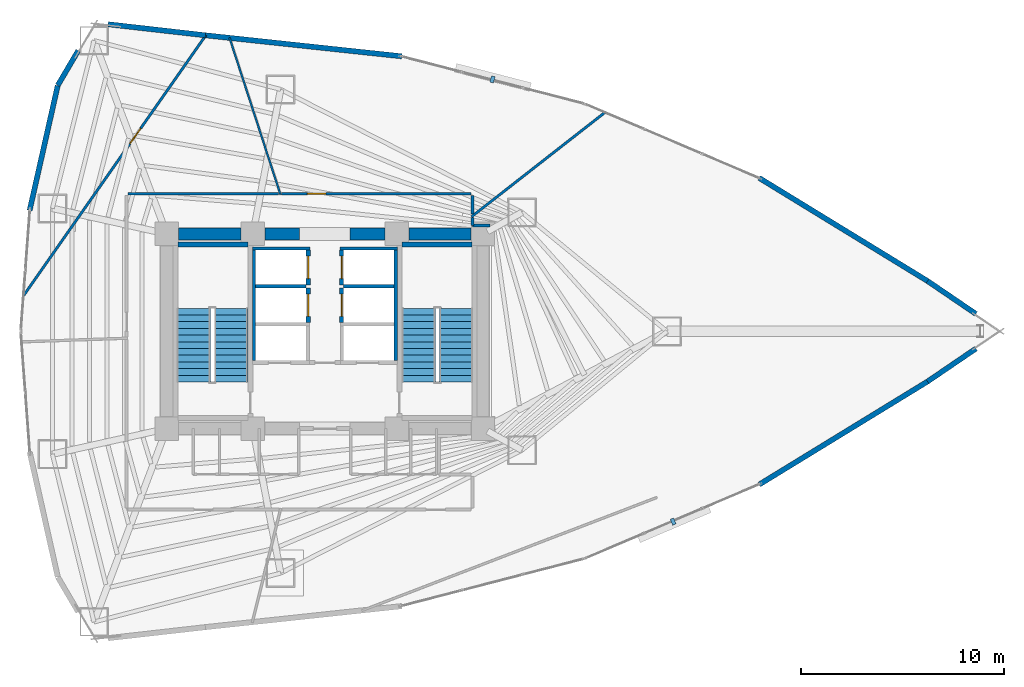
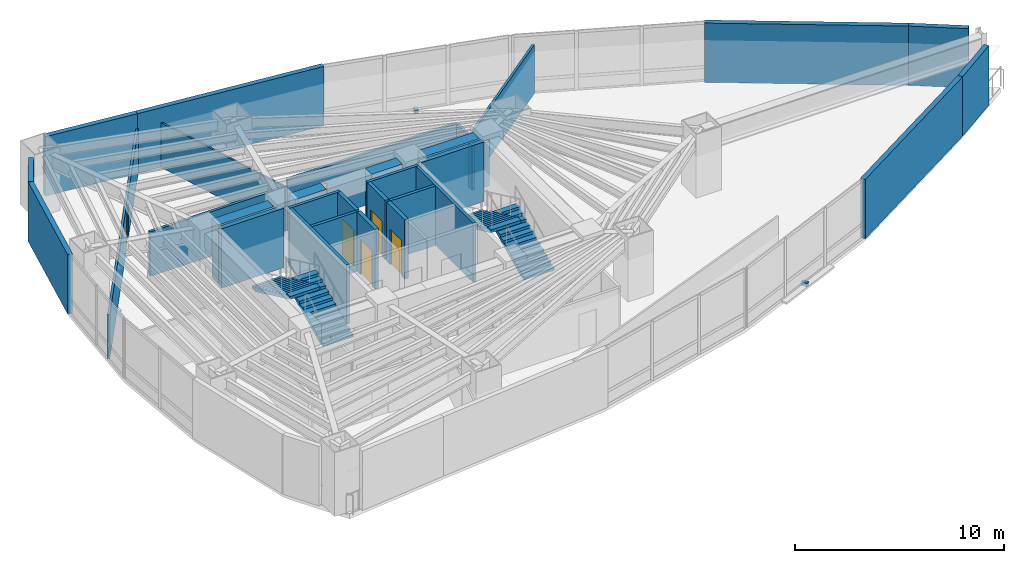
# One storey, part 16 of 20: 32 walls, 6 doors, 4 stair flights, 2 discrete accessories, 6 openings, 2 elements without a shape of their own.
"""IFC4 building model written with IfcOpenShell, lengths in metres."""

from ifc_helpers import new_model, si_unit, direction, frame, frame_2d, origin, origin_2d, place, context, subcontext, project, spatial, polyline, rectangle, outline, extrude, material, layer, layer_set, type_object, element, fill, aggregate, save


model = new_model("IFC4")

# Units and contexts
model_context = context("Model", 3, precision=1e-05, world=origin(), true_north=direction((0.0, 1.0)))
body_context = subcontext(model_context, "Body", "Model", "MODEL_VIEW")
ifc_project = project(units=[si_unit("LENGTHUNIT", "METRE"), si_unit("AREAUNIT", "SQUARE_METRE"), si_unit("VOLUMEUNIT", "CUBIC_METRE"), si_unit("PLANEANGLEUNIT", "RADIAN"), si_unit("MASSUNIT", "GRAM", prefix="KILO")], contexts=[model_context])

# Site, building, storey
site_placement = place(None, origin())
site = spatial("IfcSite", under=ifc_project, at=site_placement, CompositionType="ELEMENT")
building_placement = place(site_placement, origin())
building = spatial("IfcBuilding", under=site, at=building_placement, Name="Menara Vayukalpa", CompositionType="ELEMENT")
storey_placement = place(building_placement, frame((0.0, 0.0, 57.360107421875)))
storey = spatial("IfcBuildingStorey", under=building, at=storey_placement, Name="L13", CompositionType="ELEMENT", Elevation=57.360107421875)

# Walls
ifc_material_1 = material(Name="Concrete C70/85", Category="concrete")
ifc_layer_1 = layer(ifc_material_1, 0.60009765625)
ifc_layer_set_1 = layer_set([ifc_layer_1], Name="Concrete C70/85")
wall_type_1 = type_object("IfcWallType", Name="WAL-CW600", PredefinedType="SHEAR", material=ifc_layer_set_1)
wall_1_placement = place(storey_placement, frame((18.39501953125, 26.800048828125, 0.0), z_axis=(0.0, 0.0, 1.0), x_axis=(1.0, 0.0, 0.0)))
element("IfcWall", 1, at=wall_1_placement, inside=storey, type_object=wall_type_1, Name="L13 Buttressed Core Shear Wall CWN1", PredefinedType="SHEAR", context=body_context, shape_type="SweptSolid", body=[
    extrude(rectangle(XDim=3.06005859375, YDim=0.60009765625, at=frame_2d((1.530029296875, 0.0))), origin(), (0.0, 0.0, 1.0), 3.469970703125),
])
wall_2_placement = place(storey_placement, frame((22.64501953125, 26.800048828125, 0.0), z_axis=(0.0, 0.0, 1.0), x_axis=(1.0, 0.0, 0.0)))
element("IfcWall", 2, at=wall_2_placement, inside=storey, type_object=wall_type_1, Name="L13 Buttressed Core Shear Wall CWN2", PredefinedType="SHEAR", context=body_context, shape_type="SweptSolid", body=[
    extrude(rectangle(XDim=1.705078125, YDim=0.60009765625, at=frame_2d((0.8525390625, 0.0))), origin(), (0.0, 0.0, 1.0), 3.469970703125),
])
wall_3_placement = place(storey_placement, frame((26.85009765625, 26.800048828125, 0.0), z_axis=(0.0, 0.0, 1.0), x_axis=(1.0, 0.0, 0.0)))
element("IfcWall", 3, at=wall_3_placement, inside=storey, type_object=wall_type_1, Name="L13 Buttressed Core Shear Wall CWN3", PredefinedType="SHEAR", context=body_context, shape_type="SweptSolid", body=[
    extrude(rectangle(XDim=1.704833984375, YDim=0.60009765625, at=frame_2d((0.8525390625, 0.0))), origin(), (0.0, 0.0, 1.0), 3.469970703125),
])
wall_4_placement = place(storey_placement, frame((29.7451171875, 26.800048828125, 0.0), z_axis=(0.0, 0.0, 1.0), x_axis=(1.0, 0.0, 0.0)))
element("IfcWall", 4, at=wall_4_placement, inside=storey, type_object=wall_type_1, Name="L13 Buttressed Core Shear Wall CWN4", PredefinedType="SHEAR", context=body_context, shape_type="SweptSolid", body=[
    extrude(rectangle(XDim=3.059814453125, YDim=0.60009765625, at=frame_2d((1.52978515625, 0.0))), origin(), (0.0, 0.0, 1.0), 3.469970703125),
])
ifc_material_2 = material(Name="Insulated Precast Concrete C40/50", Category="concrete")
ifc_layer_2 = layer(ifc_material_2, 0.260009765625)
ifc_layer_set_2 = layer_set([ifc_layer_2], Name="Insulated Precast Concrete C40/50")
wall_type_2 = type_object("IfcWallType", Name="WAL-EXT260", PredefinedType="PARTITIONING", material=ifc_layer_set_2)
for number, where, z_axis, x_axis, name in (
    (5, (57.69921875, 21.143798828125, 0.0), (0.0, 0.0, 1.0), (-0.826683887239, -0.562666642498, 0.0), "L13 Perimeter Terracotta Pier Wall 01"),
    (6, (55.315673828125, 24.478515625, 0.0), (0.0, 0.0, 1.0), (0.826683887239, -0.562666642498, 0.0), "L13 Perimeter Terracotta Pier Wall 02"),
):
    element("IfcWall", number, at=place(storey_placement, frame(where, z_axis=z_axis, x_axis=x_axis)), inside=storey, type_object=wall_type_2, Name=name, PredefinedType="PARTITIONING", context=body_context, shape_type="SweptSolid", body=[
        extrude(rectangle(XDim=2.88330078125, YDim=0.260009765625, at=frame_2d((1.441650390625, 0.0))), origin(), (0.0, 0.0, 1.0), 3.469970703125),
    ])
wall_5_placement = place(storey_placement, frame((47.00390625, 29.56591796875, 0.0), z_axis=(0.0, 0.0, 1.0), x_axis=(0.852895644524, -0.522081430001, 0.0)))
element("IfcWall", 7, at=wall_5_placement, inside=storey, type_object=wall_type_2, Name="L13 Perimeter Terracotta Pier Wall 03", PredefinedType="PARTITIONING", context=body_context, shape_type="SweptSolid", body=[
    extrude(rectangle(XDim=9.757080078125, YDim=0.260009765625, at=frame_2d((4.87841796875, 0.0))), origin(), (0.0, 0.0, 1.0), 3.469970703125),
])
wall_6_placement = place(storey_placement, frame((19.69580078125, 36.5947265625, 0.0), z_axis=(0.0, 0.0, 1.0), x_axis=(0.994319088673, -0.106440358419, 0.0)))
element("IfcWall", 8, at=wall_6_placement, inside=storey, type_object=wall_type_2, Name="L13 Perimeter Terracotta Pier Wall 06", PredefinedType="PARTITIONING", context=body_context, shape_type="SweptSolid", body=[
    extrude(rectangle(XDim=9.75732421875, YDim=0.260009765625, at=frame_2d((4.878662109375, 0.0))), origin(), (0.0, 0.0, 1.0), 3.469970703125),
])
wall_7_placement = place(storey_placement, frame((14.909423828125, 37.1376953125, 0.0), z_axis=(0.0, 0.0, 1.0), x_axis=(0.993630237788, -0.112689620435, 0.0)))
element("IfcWall", 9, at=wall_7_placement, inside=storey, type_object=wall_type_2, Name="L13 Perimeter Terracotta Pier Wall 07", PredefinedType="PARTITIONING", context=body_context, shape_type="SweptSolid", body=[
    extrude(rectangle(XDim=4.8291015625, YDim=0.260009765625, at=frame_2d((2.41455078125, 0.0))), origin(), (0.0, 0.0, 1.0), 3.469970703125),
])
wall_8_placement = place(storey_placement, frame((12.43212890625, 34.126953125, 0.0), z_axis=(0.0, 0.0, 1.0), x_axis=(0.506772954594, 0.862079562739, 0.0)))
element("IfcWall", 10, at=wall_8_placement, inside=storey, type_object=wall_type_2, Name="L13 Perimeter Terracotta Pier Wall 08", PredefinedType="PARTITIONING", context=body_context, shape_type="SweptSolid", body=[
    extrude(rectangle(XDim=1.98583984375, YDim=0.260009765625, at=frame_2d((0.992919921875, 0.0))), origin(), (0.0, 0.0, 1.0), 3.469970703125),
])
wall_9_placement = place(storey_placement, frame((11.0400390625, 27.952392578125, 0.0), z_axis=(0.0, 0.0, 1.0), x_axis=(0.219505752381, 0.975611205692, 0.0)))
element("IfcWall", 11, at=wall_9_placement, inside=storey, type_object=wall_type_2, Name="L13 Perimeter Terracotta Pier Wall 09", PredefinedType="PARTITIONING", context=body_context, shape_type="SweptSolid", body=[
    extrude(rectangle(XDim=6.31201171875, YDim=0.260009765625, at=frame_2d((3.156005859375, 0.0))), origin(), (0.0, 0.0, 1.0), 3.469970703125),
])
wall_10_placement = place(storey_placement, frame((55.32568359375, 19.528076171875, 0.0), z_axis=(0.0, 0.0, 1.0), x_axis=(-0.852895644524, -0.522081430001, 0.0)))
element("IfcWall", 12, at=wall_10_placement, inside=storey, type_object=wall_type_2, Name="L13 Perimeter Terracotta Pier Wall 18", PredefinedType="PARTITIONING", context=body_context, shape_type="SweptSolid", body=[
    extrude(rectangle(XDim=9.757080078125, YDim=0.260009765625, at=frame_2d((4.87841796875, 0.0))), origin(), (0.0, 0.0, 1.0), 3.469970703125),
])
ifc_material_3 = material(Name="Lightweight Concrete Blockwork C16/20", Category="masonry")
ifc_layer_3 = layer(ifc_material_3, 0.159912109375)
ifc_layer_set_3 = layer_set([ifc_layer_3], Name="Lightweight Concrete Blockwork C16/20")
wall_type_3 = type_object("IfcWallType", Name="WAL-FR150", PredefinedType="PARTITIONING", material=ifc_layer_set_3)
wall_11_placement = place(storey_placement, frame((22.10498046875, 20.56005859375, 0.0), z_axis=(0.0, 0.0, 1.0), x_axis=(0.0, 1.0, 0.0)))
element("IfcWall", 13, at=wall_11_placement, inside=storey, type_object=wall_type_3, Name="L13 Interior Partition IW-L13-SHW-WW", PredefinedType="PARTITIONING", context=body_context, shape_type="SweptSolid", body=[
    extrude(rectangle(XDim=5.449951171875, YDim=0.159912109375, at=frame_2d((2.72509765625, 0.0))), origin(), (0.0, 0.0, 1.0), 3.469970703125),
])
wall_12_placement = place(storey_placement, frame((22.179931640625, 24.215087890625, 0.0), z_axis=(0.0, 0.0, 1.0), x_axis=(1.0, 0.0, 0.0)))
element("IfcWall", 14, at=wall_12_placement, inside=storey, type_object=wall_type_3, Name="L13 Interior Partition IW-L13-SHM-W23", PredefinedType="PARTITIONING", context=body_context, shape_type="SweptSolid", body=[
    extrude(rectangle(XDim=2.489990234375, YDim=0.159912109375, at=frame_2d((1.2451171875, 0.0))), origin(), (0.0, 0.0, 1.0), 3.469970703125),
])
wall_13_placement = place(storey_placement, frame((22.030029296875, 26.0849609375, 0.0), z_axis=(0.0, 0.0, 1.0), x_axis=(1.0, 0.0, 0.0)))
element("IfcWall", 15, at=wall_13_placement, inside=storey, type_object=wall_type_3, Name="L13 Interior Partition IW-L13-SHM-W3N", PredefinedType="PARTITIONING", context=body_context, shape_type="SweptSolid", body=[
    extrude(rectangle(XDim=2.830078125, YDim=0.159912109375, at=frame_2d((1.4150390625, 0.0))), origin(), (0.0, 0.0, 1.0), 3.469970703125),
])
wall_14_placement = place(storey_placement, frame((29.094970703125, 20.56005859375, 0.0), z_axis=(0.0, 0.0, 1.0), x_axis=(0.0, 1.0, 0.0)))
element("IfcWall", 16, at=wall_14_placement, inside=storey, type_object=wall_type_3, Name="L13 Interior Partition IW-L13-SHW-EE", PredefinedType="PARTITIONING", context=body_context, shape_type="SweptSolid", body=[
    extrude(rectangle(XDim=5.449951171875, YDim=0.159912109375, at=frame_2d((2.72509765625, 0.0))), origin(), (0.0, 0.0, 1.0), 3.469970703125),
])
wall_15_placement = place(storey_placement, frame((26.530029296875, 24.215087890625, 0.0), z_axis=(0.0, 0.0, 1.0), x_axis=(1.0, 0.0, 0.0)))
element("IfcWall", 17, at=wall_15_placement, inside=storey, type_object=wall_type_3, Name="L13 Interior Partition IW-L13-SHM-E32", PredefinedType="PARTITIONING", context=body_context, shape_type="SweptSolid", body=[
    extrude(rectangle(XDim=2.489990234375, YDim=0.159912109375, at=frame_2d((1.2451171875, 0.0))), origin(), (0.0, 0.0, 1.0), 3.469970703125),
])
wall_16_placement = place(storey_placement, frame((26.340087890625, 26.0849609375, 0.0), z_axis=(0.0, 0.0, 1.0), x_axis=(1.0, 0.0, 0.0)))
element("IfcWall", 18, at=wall_16_placement, inside=storey, type_object=wall_type_3, Name="L13 Interior Partition IW-L13-SHM-E2N", PredefinedType="PARTITIONING", context=body_context, shape_type="SweptSolid", body=[
    extrude(rectangle(XDim=2.829833984375, YDim=0.159912109375, at=frame_2d((1.4150390625, 0.0))), origin(), (0.0, 0.0, 1.0), 3.469970703125),
])

# Wall, opening, door
ifc_material_4 = material(Name="Lightweight Concrete Blockwork C16/20", Category="masonry")
ifc_layer_4 = layer(ifc_material_4, 0.199951171875)
ifc_layer_set_4 = layer_set([ifc_layer_4], Name="Lightweight Concrete Blockwork C16/20")
wall_type_4 = type_object("IfcWallType", Name="WAL-FR200", PredefinedType="PARTITIONING", material=ifc_layer_set_4)
wall_17_placement = place(storey_placement, frame((24.780029296875, 22.419921875, 0.0), z_axis=(0.0, 0.0, 1.0), x_axis=(0.0, 1.0, 0.0)))
wall_17 = element("IfcWall", 19, at=wall_17_placement, inside=storey, type_object=wall_type_4, Name="L13 Interior Partition IW-L13-SH-W2", PredefinedType="PARTITIONING", context=body_context, shape_type="SweptSolid", body=[
    extrude(rectangle(XDim=1.719970703125, YDim=0.199951171875, at=frame_2d((0.85986328125, 0.0))), origin(), (0.0, 0.0, 1.0), 3.469970703125),
])
opening_1_placement = place(wall_17_placement, frame((0.31005859375, 0.0, 0.0)))
opening_1 = element("IfcOpeningElement", 20, at=opening_1_placement, cuts=wall_17, Name="Opening LD1", PredefinedType="OPENING", context=body_context, shape_type="SweptSolid", body=[
    extrude(rectangle(XDim=1.10009765625, YDim=2.080078125, at=frame_2d((0.550048828125, 1.0400390625))), frame((0.0, 0.10986328125, 0.0), z_axis=(0.0, -1.0, 0.0), x_axis=(1.0, 0.0, 0.0)), (0.0, 0.0, 1.0), 0.219970703125),
])
ifc_material_5 = material(Name="Brushed Stainless Steel 316 Lift Door", Category="steel")
door_type_1 = type_object("IfcDoorType", Name="DR-LD110", OperationType="NOTDEFINED", PredefinedType="DOOR", material=ifc_material_5)
door_1_placement = place(opening_1_placement, origin())
door_1 = element("IfcDoor", 21, at=door_1_placement, inside=storey, type_object=door_type_1, Name="L13 Interior Door DR-L13-LD-W2", OperationType="DOUBLE_DOOR_SLIDING", OverallHeight=2.080078125, OverallWidth=1.10009765625, PredefinedType="DOOR", context=body_context, shape_type="SweptSolid", body=[
    extrude(rectangle(XDim=1.10009765625, YDim=2.080078125, at=frame_2d((0.550048828125, 1.0400390625))), frame((0.0, 0.02490234375, 0.0), z_axis=(0.0, -1.0, 0.0), x_axis=(1.0, 0.0, 0.0)), (0.0, 0.0, 1.0), 0.050048828125),
])
fill(opening_1, door_1)

wall_18_placement = place(storey_placement, frame((24.780029296875, 24.2900390625, 0.0), z_axis=(0.0, 0.0, 1.0), x_axis=(0.0, 1.0, 0.0)))
wall_18 = element("IfcWall", 22, at=wall_18_placement, inside=storey, type_object=wall_type_4, Name="L13 Interior Partition IW-L13-SH-W3", PredefinedType="PARTITIONING", context=body_context, shape_type="SweptSolid", body=[
    extrude(rectangle(XDim=1.719970703125, YDim=0.199951171875, at=frame_2d((0.85986328125, 0.0))), origin(), (0.0, 0.0, 1.0), 3.469970703125),
])
opening_2_placement = place(wall_18_placement, frame((0.31005859375, 0.0, 0.0)))
opening_2 = element("IfcOpeningElement", 23, at=opening_2_placement, cuts=wall_18, Name="Opening LD1", PredefinedType="OPENING", context=body_context, shape_type="SweptSolid", body=[
    extrude(rectangle(XDim=1.10009765625, YDim=2.080078125, at=frame_2d((0.550048828125, 1.0400390625))), frame((0.0, 0.10986328125, 0.0), z_axis=(0.0, -1.0, 0.0), x_axis=(1.0, 0.0, 0.0)), (0.0, 0.0, 1.0), 0.219970703125),
])
door_2_placement = place(opening_2_placement, origin())
door_2 = element("IfcDoor", 24, at=door_2_placement, inside=storey, type_object=door_type_1, Name="L13 Interior Door DR-L13-LD-W3", OperationType="DOUBLE_DOOR_SLIDING", OverallHeight=2.080078125, OverallWidth=1.10009765625, PredefinedType="DOOR", context=body_context, shape_type="SweptSolid", body=[
    extrude(rectangle(XDim=1.10009765625, YDim=2.080078125, at=frame_2d((0.550048828125, 1.0400390625))), frame((0.0, 0.02490234375, 0.0), z_axis=(0.0, -1.0, 0.0), x_axis=(1.0, 0.0, 0.0)), (0.0, 0.0, 1.0), 0.050048828125),
])
fill(opening_2, door_2)

wall_19_placement = place(storey_placement, frame((26.419921875, 22.419921875, 0.0), z_axis=(0.0, 0.0, 1.0), x_axis=(0.0, 1.0, 0.0)))
wall_19 = element("IfcWall", 25, at=wall_19_placement, inside=storey, type_object=wall_type_4, Name="L13 Interior Partition IW-L13-SH-E3", PredefinedType="PARTITIONING", context=body_context, shape_type="SweptSolid", body=[
    extrude(rectangle(XDim=1.719970703125, YDim=0.199951171875, at=frame_2d((0.85986328125, 0.0))), origin(), (0.0, 0.0, 1.0), 3.469970703125),
])
opening_3_placement = place(wall_19_placement, frame((0.31005859375, 0.0, 0.0)))
opening_3 = element("IfcOpeningElement", 26, at=opening_3_placement, cuts=wall_19, Name="Opening LD1", PredefinedType="OPENING", context=body_context, shape_type="SweptSolid", body=[
    extrude(rectangle(XDim=1.10009765625, YDim=2.080078125, at=frame_2d((0.550048828125, 1.0400390625))), frame((0.0, 0.10986328125, 0.0), z_axis=(0.0, -1.0, 0.0), x_axis=(1.0, 0.0, 0.0)), (0.0, 0.0, 1.0), 0.219970703125),
])
door_3_placement = place(opening_3_placement, origin())
door_3 = element("IfcDoor", 27, at=door_3_placement, inside=storey, type_object=door_type_1, Name="L13 Interior Door DR-L13-LD-E3", OperationType="DOUBLE_DOOR_SLIDING", OverallHeight=2.080078125, OverallWidth=1.10009765625, PredefinedType="DOOR", context=body_context, shape_type="SweptSolid", body=[
    extrude(rectangle(XDim=1.10009765625, YDim=2.080078125, at=frame_2d((0.550048828125, 1.0400390625))), frame((0.0, 0.02490234375, 0.0), z_axis=(0.0, -1.0, 0.0), x_axis=(1.0, 0.0, 0.0)), (0.0, 0.0, 1.0), 0.050048828125),
])
fill(opening_3, door_3)

wall_20_placement = place(storey_placement, frame((26.419921875, 24.2900390625, 0.0), z_axis=(0.0, 0.0, 1.0), x_axis=(0.0, 1.0, 0.0)))
wall_20 = element("IfcWall", 28, at=wall_20_placement, inside=storey, type_object=wall_type_4, Name="L13 Interior Partition IW-L13-SH-E2", PredefinedType="PARTITIONING", context=body_context, shape_type="SweptSolid", body=[
    extrude(rectangle(XDim=1.719970703125, YDim=0.199951171875, at=frame_2d((0.85986328125, 0.0))), origin(), (0.0, 0.0, 1.0), 3.469970703125),
])
opening_4_placement = place(wall_20_placement, frame((0.31005859375, 0.0, 0.0)))
opening_4 = element("IfcOpeningElement", 29, at=opening_4_placement, cuts=wall_20, Name="Opening LD1", PredefinedType="OPENING", context=body_context, shape_type="SweptSolid", body=[
    extrude(rectangle(XDim=1.10009765625, YDim=2.080078125, at=frame_2d((0.550048828125, 1.0400390625))), frame((0.0, 0.10986328125, 0.0), z_axis=(0.0, -1.0, 0.0), x_axis=(1.0, 0.0, 0.0)), (0.0, 0.0, 1.0), 0.219970703125),
])
door_4_placement = place(opening_4_placement, origin())
door_4 = element("IfcDoor", 30, at=door_4_placement, inside=storey, type_object=door_type_1, Name="L13 Interior Door DR-L13-LD-E2", OperationType="DOUBLE_DOOR_SLIDING", OverallHeight=2.080078125, OverallWidth=1.10009765625, PredefinedType="DOOR", context=body_context, shape_type="SweptSolid", body=[
    extrude(rectangle(XDim=1.10009765625, YDim=2.080078125, at=frame_2d((0.550048828125, 1.0400390625))), frame((0.0, 0.02490234375, 0.0), z_axis=(0.0, -1.0, 0.0), x_axis=(1.0, 0.0, 0.0)), (0.0, 0.0, 1.0), 0.050048828125),
])
fill(opening_4, door_4)

# Walls
ifc_material_6 = material(Name="Glazed Demountable Office Partition", Category="glass")
ifc_layer_5 = layer(ifc_material_6, 0.094970703125)
ifc_layer_set_5 = layer_set([ifc_layer_5], Name="Glazed Demountable Office Partition")
wall_type_5 = type_object("IfcWallType", Name="WAL-PT100", PredefinedType="PARTITIONING", material=ifc_layer_set_5)
wall_21_placement = place(storey_placement, frame((23.413330078125, 28.72998046875, 0.0), z_axis=(0.0, 0.0, 1.0), x_axis=(-0.309033883912, 0.951051028386, 0.0)))
element("IfcWall", 31, at=wall_21_placement, inside=storey, type_object=wall_type_5, Name="L13 Interior Partition IW-L13-RDIV02", PredefinedType="PARTITIONING", context=body_context, shape_type="SweptSolid", body=[
    extrude(rectangle(XDim=8.14501953125, YDim=0.094970703125, at=frame_2d((4.072509765625, 0.0))), origin(), (0.0, 0.0, 1.0), 2.599853515625),
])
ifc_material_7 = material(Name="Gypsum Drywall Steel Stud Assembly", Category="steel")
ifc_layer_6 = layer(ifc_material_7, 0.125)
ifc_layer_set_6 = layer_set([ifc_layer_6], Name="Gypsum Drywall Steel Stud Assembly")
wall_type_6 = type_object("IfcWallType", Name="WAL-PT125", PredefinedType="PARTITIONING", material=ifc_layer_set_6)
wall_22_placement = place(storey_placement, frame((32.830078125, 27.648681640625, 0.0), z_axis=(0.0, 0.0, 1.0), x_axis=(0.78800045327, 0.615674658928, 0.0)))
element("IfcWall", 32, at=wall_22_placement, inside=storey, type_object=wall_type_6, Name="L13 Interior Partition IW-L13-RDIV01", PredefinedType="PARTITIONING", context=body_context, shape_type="SweptSolid", body=[
    extrude(rectangle(XDim=8.35595703125, YDim=0.125, at=frame_2d((4.177978515625, 0.0))), origin(), (0.0, 0.0, 1.0), 2.849853515625),
])

# Wall, opening, door
wall_23_placement = place(storey_placement, frame((19.73681640625, 36.6005859375, 0.0), z_axis=(0.0, 0.0, 1.0), x_axis=(-0.573585467262, -0.819145720703, 0.0)))
wall_23 = element("IfcWall", 33, at=wall_23_placement, inside=storey, type_object=wall_type_6, Name="L13 Interior Partition IW-L13-RDIV05", PredefinedType="PARTITIONING", context=body_context, shape_type="SweptSolid", body=[
    extrude(rectangle(XDim=15.70263671875, YDim=0.125, at=frame_2d((7.851318359375, 0.0))), origin(), (0.0, 0.0, 1.0), 2.599853515625),
])
opening_5_placement = place(wall_23_placement, frame((5.613525390625, 0.0, 0.0)))
opening_5 = element("IfcOpeningElement", 34, at=opening_5_placement, cuts=wall_23, Name="Opening ID6", PredefinedType="OPENING", context=body_context, shape_type="SweptSolid", body=[
    extrude(rectangle(XDim=0.919921875, YDim=2.050048828125, at=frame_2d((0.4599609375, 1.02490234375))), frame((0.0, 0.072509765625, 0.0), z_axis=(0.0, -1.0, 0.0), x_axis=(1.0, 0.0, 0.0)), (0.0, 0.0, 1.0), 0.14501953125),
])
ifc_material_8 = material(Name="Acoustic Hardwood Veneer Timber Door", Category="wood")
door_type_2 = type_object("IfcDoorType", Name="DR-INT92", OperationType="NOTDEFINED", PredefinedType="DOOR", material=ifc_material_8)
door_5_placement = place(opening_5_placement, origin())
door_5 = element("IfcDoor", 35, at=door_5_placement, inside=storey, type_object=door_type_2, Name="L13 Interior Door DR-L13-STE05", OperationType="SINGLE_SWING_LEFT", OverallHeight=2.050048828125, OverallWidth=0.919921875, PredefinedType="DOOR", context=body_context, shape_type="SweptSolid", body=[
    extrude(rectangle(XDim=0.919921875, YDim=2.050048828125, at=frame_2d((0.4599609375, 1.02490234375))), frame((0.0, 0.02490234375, 0.0), z_axis=(0.0, -1.0, 0.0), x_axis=(1.0, 0.0, 0.0)), (0.0, 0.0, 1.0), 0.050048828125),
])
fill(opening_5, door_5)

# Walls
ifc_material_9 = material(Name="Gypsum Drywall Acoustic Stud Assembly", Category="masonry")
ifc_layer_7 = layer(ifc_material_9, 0.14501953125)
ifc_layer_set_7 = layer_set([ifc_layer_7], Name="Gypsum Drywall Acoustic Stud Assembly")
wall_type_7 = type_object("IfcWallType", Name="WAL-PT150", PredefinedType="PARTITIONING", material=ifc_layer_set_7)
wall_24_placement = place(storey_placement, frame((33.739990234375, 27.219970703125, 0.0), z_axis=(0.0, 0.0, 1.0), x_axis=(-1.0, 0.0, 0.0)))
element("IfcWall", 36, at=wall_24_placement, inside=storey, type_object=wall_type_7, Name="L13 Interior Partition IW-L13-CRM03-5", PredefinedType="PARTITIONING", context=body_context, shape_type="SweptSolid", body=[
    extrude(rectangle(XDim=0.860107421875, YDim=0.14501953125, at=frame_2d((0.43017578125, 0.0))), origin(), (0.0, 0.0, 1.0), 2.599853515625),
])
wall_25_placement = place(storey_placement, frame((32.8798828125, 27.219970703125, 0.0), z_axis=(0.0, 0.0, 1.0), x_axis=(0.0, 1.0, 0.0)))
element("IfcWall", 37, at=wall_25_placement, inside=storey, type_object=wall_type_7, Name="L13 Interior Partition IW-L13-CRM03-6", PredefinedType="PARTITIONING", context=body_context, shape_type="SweptSolid", body=[
    extrude(rectangle(XDim=0.37890625, YDim=0.14501953125, at=frame_2d((0.189453125, 0.0))), origin(), (0.0, 0.0, 1.0), 2.599853515625),
])
wall_26_placement = place(storey_placement, frame((32.8798828125, 27.776611328125, 0.0), z_axis=(0.0, 0.0, 1.0), x_axis=(0.0, 1.0, 0.0)))
element("IfcWall", 38, at=wall_26_placement, inside=storey, type_object=wall_type_7, Name="L13 Interior Partition IW-L13-CRM04-1", PredefinedType="PARTITIONING", context=body_context, shape_type="SweptSolid", body=[
    extrude(rectangle(XDim=0.92333984375, YDim=0.14501953125, at=frame_2d((0.461669921875, 0.0))), origin(), (0.0, 0.0, 1.0), 3.0),
])

# Wall, opening, door
wall_27_placement = place(storey_placement, frame((32.800048828125, 28.780029296875, 0.0), z_axis=(0.0, 0.0, 1.0), x_axis=(-1.0, 0.0, 0.0)))
wall_27 = element("IfcWall", 39, at=wall_27_placement, inside=storey, type_object=wall_type_7, Name="L13 Interior Partition IW-L13-CRM04-2", PredefinedType="PARTITIONING", context=body_context, shape_type="SweptSolid", body=[
    extrude(rectangle(XDim=9.329345703125, YDim=0.14501953125, at=frame_2d((4.66455078125, 0.0))), origin(), (0.0, 0.0, 1.0), 3.0),
])
opening_6_placement = place(wall_27_placement, frame((7.148193359375, 0.0, 0.0)))
opening_6 = element("IfcOpeningElement", 40, at=opening_6_placement, cuts=wall_27, Name="Opening ID6", PredefinedType="OPENING", context=body_context, shape_type="SweptSolid", body=[
    extrude(rectangle(XDim=0.919921875, YDim=2.050048828125, at=frame_2d((0.4599609375, 1.02490234375))), frame((0.0, 0.08251953125, 0.0), z_axis=(0.0, -1.0, 0.0), x_axis=(1.0, 0.0, 0.0)), (0.0, 0.0, 1.0), 0.1650390625),
])
door_6_placement = place(opening_6_placement, origin())
door_6 = element("IfcDoor", 41, at=door_6_placement, inside=storey, type_object=door_type_2, Name="L13 Interior Door DR-L13-RM04", OperationType="SINGLE_SWING_LEFT", OverallHeight=2.050048828125, OverallWidth=0.919921875, PredefinedType="DOOR", context=body_context, shape_type="SweptSolid", body=[
    extrude(rectangle(XDim=0.919921875, YDim=2.050048828125, at=frame_2d((0.4599609375, 1.02490234375))), frame((0.0, 0.02490234375, 0.0), z_axis=(0.0, -1.0, 0.0), x_axis=(1.0, 0.0, 0.0)), (0.0, 0.0, 1.0), 0.050048828125),
])
fill(opening_6, door_6)

# Walls
wall_28_placement = place(storey_placement, frame((23.323486328125, 28.780029296875, 0.0), z_axis=(0.0, 0.0, 1.0), x_axis=(-1.0, 0.0, 0.0)))
element("IfcWall", 42, at=wall_28_placement, inside=storey, type_object=wall_type_7, Name="L13 Interior Partition IW-L13-CRM06-1", PredefinedType="PARTITIONING", context=body_context, shape_type="SweptSolid", body=[
    extrude(rectangle(XDim=7.423583984375, YDim=0.14501953125, at=frame_2d((3.7119140625, 0.0))), origin(), (0.0, 0.0, 1.0), 2.599853515625),
])
ifc_material_10 = material(Name="Concrete C50/60", Category="concrete")
ifc_layer_8 = layer(ifc_material_10, 0.25)
ifc_layer_set_8 = layer_set([ifc_layer_8], Name="Concrete C50/60")
wall_type_8 = type_object("IfcWallType", Name="WAL-SW250", PredefinedType="SHEAR", material=ifc_layer_set_8)
for number, where, z_axis, x_axis, name in (
    (43, (18.35400390625, 26.27490234375, 0.0), (0.0, 0.0, 1.0), (1.0, 0.0, 0.0), "L13 ST1 Structural Stair Shaft Wall N"),
    (44, (29.39990234375, 26.27490234375, 0.0), (0.0, 0.0, 1.0), (1.0, 0.0, 0.0), "L13 ST2 Structural Stair Shaft Wall N"),
):
    element("IfcWall", number, at=place(storey_placement, frame(where, z_axis=z_axis, x_axis=x_axis)), inside=storey, type_object=wall_type_8, Name=name, PredefinedType="SHEAR", context=body_context, shape_type="SweptSolid", body=[
        extrude(rectangle(XDim=3.446044921875, YDim=0.25, at=frame_2d((1.72314453125, 0.0))), origin(), (0.0, 0.0, 1.0), 3.469970703125),
    ])

# Stair, stair flights
ifc_material_11 = material(Name="Precast Concrete C40/50", Category="concrete")
stair_type = type_object("IfcStairType", Name="STR-T04", PredefinedType="DOUBLE_RETURN_STAIR", material=ifc_material_11)
stair_1_placement = place(storey_placement, origin())
stair_1 = element("IfcStair", 45, at=stair_1_placement, inside=storey, type_object=stair_type, Name="L13 Core Exit Stair ST-1", PredefinedType="DOUBLE_RETURN_STAIR")
ifc_material_12 = material(Name="Precast Concrete C40/50", Category="concrete")
stair_flight_type = type_object("IfcStairFlightType", Name="STF-T04", PredefinedType="STRAIGHT", material=ifc_material_12)
stair_flight_1_placement = place(storey_placement, frame((20.97509765625, 19.5, 0.0), z_axis=(0.0, 0.0, 1.0), x_axis=(0.0, 1.0, 0.0)))
stair_flight_1 = element("IfcStairFlight", 46, at=stair_flight_1_placement, type_object=stair_flight_type, Name="ST-1 flight 1", NumberOfRisers=12, NumberOfTreads=11, PredefinedType="STRAIGHT", RiserHeight=0.155, TreadLength=0.33, context=body_context, shape_type="SweptSolid", body=[
    extrude(outline(polyline([(0.0, 0.0), (0.0, 0.155029296875), (0.330078125, 0.155029296875), (0.330078125, 0.31005859375), (0.659912109375, 0.31005859375), (0.659912109375, 0.465087890625), (0.989990234375, 0.465087890625), (0.989990234375, 0.6201171875), (1.320068359375, 0.6201171875), (1.320068359375, 0.77490234375), (1.64990234375, 0.77490234375), (1.64990234375, 0.929931640625), (1.97998046875, 0.929931640625), (1.97998046875, 1.0849609375), (2.31005859375, 1.0849609375), (2.31005859375, 1.239990234375), (2.639892578125, 1.239990234375), (2.639892578125, 1.39501953125), (2.969970703125, 1.39501953125), (2.969970703125, 1.550048828125), (3.300048828125, 1.550048828125), (3.300048828125, 1.705078125), (3.6298828125, 1.705078125), (3.6298828125, 1.860107421875), (3.6298828125, 1.539306640625), (0.3525390625, 0.0), (0.0, 0.0)])), frame((0.0, 0.824951171875, 0.0), z_axis=(0.0, -1.0, 0.0), x_axis=(1.0, 0.0, 0.0)), (0.0, 0.0, 1.0), 1.64990234375),
])
stair_flight_2_placement = place(storey_placement, frame((19.125, 23.1298828125, 1.85986328125), z_axis=(0.0, 0.0, 1.0), x_axis=(0.0, -1.0, 0.0)))
stair_flight_2 = element("IfcStairFlight", 47, at=stair_flight_2_placement, type_object=stair_flight_type, Name="ST-1 flight 2", NumberOfRisers=12, NumberOfTreads=11, PredefinedType="STRAIGHT", RiserHeight=0.155, TreadLength=0.33, context=body_context, shape_type="SweptSolid", body=[
    extrude(outline(polyline([(0.0, 0.0), (0.0, 0.155029296875), (0.330078125, 0.155029296875), (0.330078125, 0.31005859375), (0.659912109375, 0.31005859375), (0.659912109375, 0.465087890625), (0.989990234375, 0.465087890625), (0.989990234375, 0.6201171875), (1.320068359375, 0.6201171875), (1.320068359375, 0.77490234375), (1.64990234375, 0.77490234375), (1.64990234375, 0.929931640625), (1.97998046875, 0.929931640625), (1.97998046875, 1.0849609375), (2.31005859375, 1.0849609375), (2.31005859375, 1.239990234375), (2.639892578125, 1.239990234375), (2.639892578125, 1.39501953125), (2.969970703125, 1.39501953125), (2.969970703125, 1.550048828125), (3.300048828125, 1.550048828125), (3.300048828125, 1.705078125), (3.6298828125, 1.705078125), (3.6298828125, 1.860107421875), (3.6298828125, 1.539306640625), (0.3525390625, 0.0), (0.0, 0.0)])), frame((0.0, 0.824951171875, 0.0), z_axis=(0.0, -1.0, 0.0), x_axis=(1.0, 0.0, 0.0)), (0.0, 0.0, 1.0), 1.64990234375),
])
aggregate(stair_1, [stair_flight_1, stair_flight_2])

stair_2_placement = place(storey_placement, origin())
stair_2 = element("IfcStair", 48, at=stair_2_placement, inside=storey, type_object=stair_type, Name="L13 Core Exit Stair ST-2", PredefinedType="DOUBLE_RETURN_STAIR")
stair_flight_3_placement = place(storey_placement, frame((32.074951171875, 19.5, 0.0), z_axis=(0.0, 0.0, 1.0), x_axis=(0.0, 1.0, 0.0)))
stair_flight_3 = element("IfcStairFlight", 49, at=stair_flight_3_placement, type_object=stair_flight_type, Name="ST-2 flight 1", NumberOfRisers=12, NumberOfTreads=11, PredefinedType="STRAIGHT", RiserHeight=0.155, TreadLength=0.33, context=body_context, shape_type="SweptSolid", body=[
    extrude(outline(polyline([(0.0, 0.0), (0.0, 0.155029296875), (0.330078125, 0.155029296875), (0.330078125, 0.31005859375), (0.659912109375, 0.31005859375), (0.659912109375, 0.465087890625), (0.989990234375, 0.465087890625), (0.989990234375, 0.6201171875), (1.320068359375, 0.6201171875), (1.320068359375, 0.77490234375), (1.64990234375, 0.77490234375), (1.64990234375, 0.929931640625), (1.97998046875, 0.929931640625), (1.97998046875, 1.0849609375), (2.31005859375, 1.0849609375), (2.31005859375, 1.239990234375), (2.639892578125, 1.239990234375), (2.639892578125, 1.39501953125), (2.969970703125, 1.39501953125), (2.969970703125, 1.550048828125), (3.300048828125, 1.550048828125), (3.300048828125, 1.705078125), (3.6298828125, 1.705078125), (3.6298828125, 1.860107421875), (3.6298828125, 1.539306640625), (0.3525390625, 0.0), (0.0, 0.0)])), frame((0.0, 0.824951171875, 0.0), z_axis=(0.0, -1.0, 0.0), x_axis=(1.0, 0.0, 0.0)), (0.0, 0.0, 1.0), 1.64990234375),
])
stair_flight_4_placement = place(storey_placement, frame((30.22509765625, 23.1298828125, 1.85986328125), z_axis=(0.0, 0.0, 1.0), x_axis=(0.0, -1.0, 0.0)))
stair_flight_4 = element("IfcStairFlight", 50, at=stair_flight_4_placement, type_object=stair_flight_type, Name="ST-2 flight 2", NumberOfRisers=12, NumberOfTreads=11, PredefinedType="STRAIGHT", RiserHeight=0.155, TreadLength=0.33, context=body_context, shape_type="SweptSolid", body=[
    extrude(outline(polyline([(0.0, 0.0), (0.0, 0.155029296875), (0.330078125, 0.155029296875), (0.330078125, 0.31005859375), (0.659912109375, 0.31005859375), (0.659912109375, 0.465087890625), (0.989990234375, 0.465087890625), (0.989990234375, 0.6201171875), (1.320068359375, 0.6201171875), (1.320068359375, 0.77490234375), (1.64990234375, 0.77490234375), (1.64990234375, 0.929931640625), (1.97998046875, 0.929931640625), (1.97998046875, 1.0849609375), (2.31005859375, 1.0849609375), (2.31005859375, 1.239990234375), (2.639892578125, 1.239990234375), (2.639892578125, 1.39501953125), (2.969970703125, 1.39501953125), (2.969970703125, 1.550048828125), (3.300048828125, 1.550048828125), (3.300048828125, 1.705078125), (3.6298828125, 1.705078125), (3.6298828125, 1.860107421875), (3.6298828125, 1.539306640625), (0.3525390625, 0.0), (0.0, 0.0)])), frame((0.0, 0.824951171875, 0.0), z_axis=(0.0, -1.0, 0.0), x_axis=(1.0, 0.0, 0.0)), (0.0, 0.0, 1.0), 1.64990234375),
])
aggregate(stair_2, [stair_flight_3, stair_flight_4])

# Discrete accessories
ifc_material_13 = material(Name="Stainless Steel 316 Sunshade Bracket", Category="steel")
discrete_accessory_type = type_object("IfcDiscreteAccessoryType", Name="ACC-BRK1", PredefinedType="BRACKET", material=ifc_material_13)
for number, where, z_axis, x_axis, name in (
    (51, (33.86181640625, 34.416015625, -0.16015625), (0.0, 0.0, 1.0), (-0.968143270275, 0.25039690138, 0.0), "L13 Terracotta Sunshade Bracket 05"),
    (52, (42.7705078125, 12.615234375, -0.16015625), (0.0, 0.0, 1.0), (0.919958392769, 0.392016014434, 0.0), "L13 Terracotta Sunshade Bracket 17"),
):
    element("IfcDiscreteAccessory", number, at=place(storey_placement, frame(where, z_axis=z_axis, x_axis=x_axis)), inside=storey, type_object=discrete_accessory_type, Name=name, PredefinedType="BRACKET", context=body_context, shape_type="SweptSolid", body=[
        extrude(rectangle(XDim=0.179931640625, YDim=0.320068359375, at=origin_2d()), origin(), (0.0, 0.0, 1.0), 0.219970703125),
    ])

save(model, "model.ifc")
